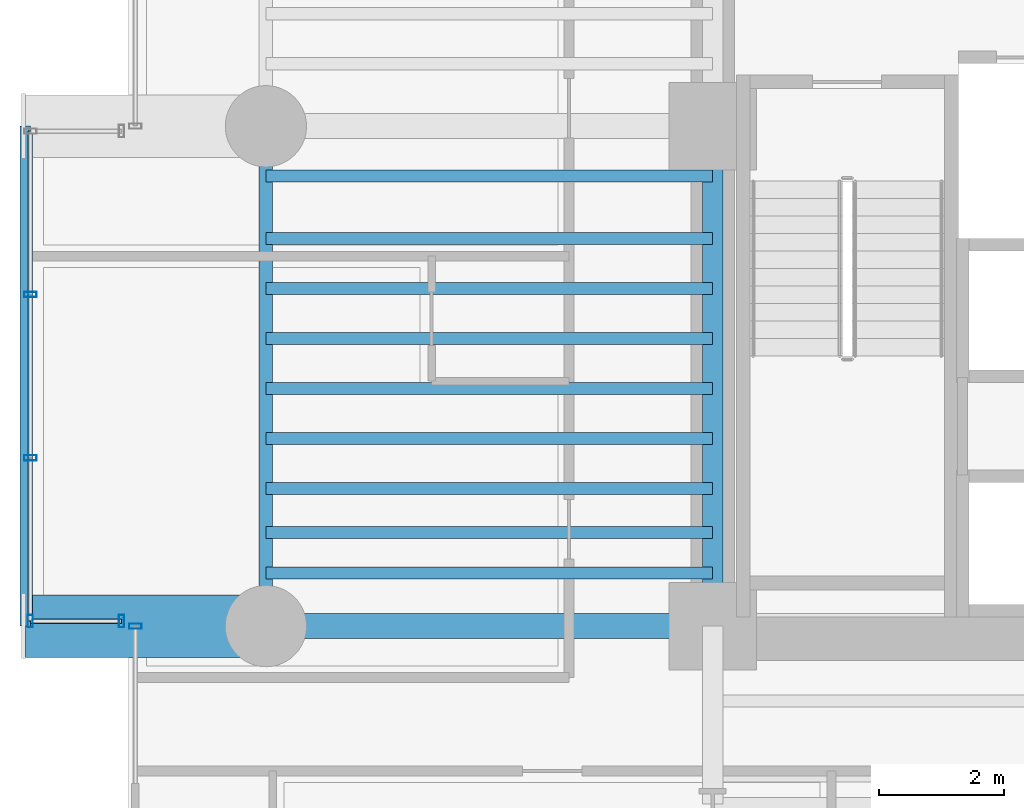
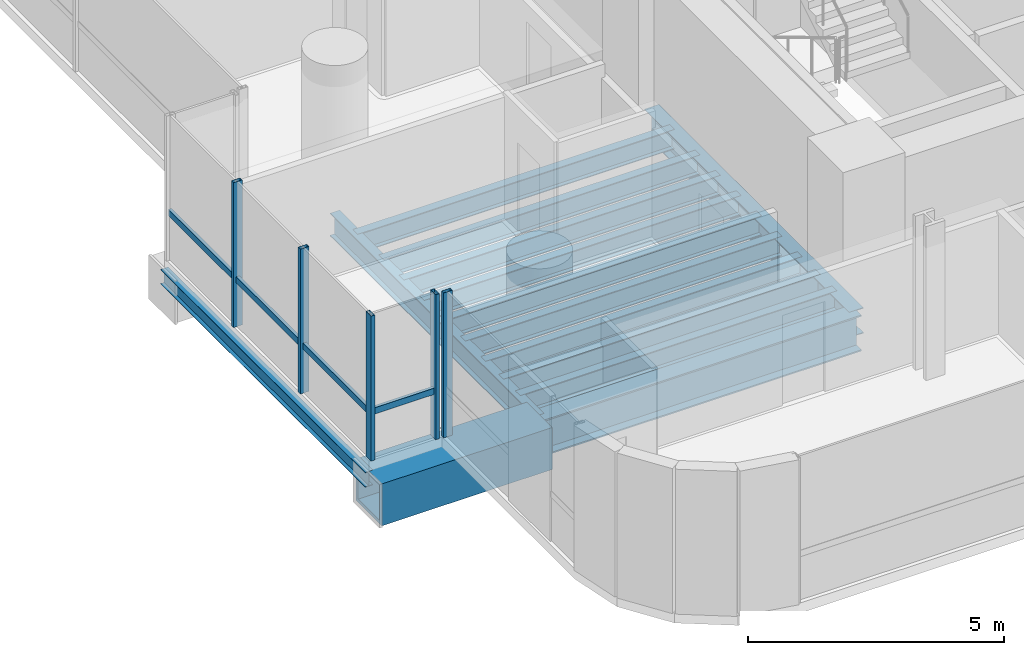
# One storey, part 4 of 41: 14 beams, 7 members, 3 elements without a shape of their own.
"""IFC4 building model written with IfcOpenShell, lengths in metres."""

from ifc_helpers import new_model, si_unit, direction, frame, origin, origin_2d, place, context, subcontext, project, spatial, hollow_rectangle, i_section, extrude, source, transform, mapped, material, material_profile, profile_set, type_object, element, aggregate, save


model = new_model("IFC4")

# Units and contexts
model_context = context("Model", 3, precision=1e-05, world=origin(), true_north=direction((0.0, 1.0)))
body_context = subcontext(model_context, "Body", "Model", "MODEL_VIEW")
ifc_project = project(units=[si_unit("LENGTHUNIT", "METRE"), si_unit("AREAUNIT", "SQUARE_METRE"), si_unit("VOLUMEUNIT", "CUBIC_METRE"), si_unit("PLANEANGLEUNIT", "RADIAN"), si_unit("MASSUNIT", "GRAM", prefix="KILO")], contexts=[model_context])

# Site, building, storey
site_placement = place(None, origin())
site = spatial("IfcSite", under=ifc_project, at=site_placement, CompositionType="ELEMENT")
building_placement = place(site_placement, origin())
building = spatial("IfcBuilding", under=site, at=building_placement, Name="Valdorenza Pilgrim Sanctuary Tower", CompositionType="ELEMENT")
storey_placement = place(building_placement, frame((0.0, 0.0, 59.300048828125)))
storey = spatial("IfcBuildingStorey", under=building, at=storey_placement, Name="L14", CompositionType="ELEMENT", Elevation=59.300048828125)

# Beams
ifc_material_1 = material(Name="Steel ASTM A992 Grade 50", Category="steel")
ifc_material_profile_1 = material_profile(ifc_material_1, i_section(OverallWidth=0.214111328125, OverallDepth=0.549072265625, WebThickness=0.0146484375, FlangeThickness=0.023681640625, at=origin_2d()), Name="W21X93")
ifc_profile_set_1 = profile_set([ifc_material_profile_1], Name="Steel ASTM A992 Grade 50")
beam_type_1 = type_object("IfcBeamType", Name="STR-BM-SPN-W21A", PredefinedType="SPANDREL", material=ifc_profile_set_1)
shared_shape_1 = source(origin(), body_context, "Body", "SweptSolid", [
    extrude(i_section(OverallWidth=0.214111328125, OverallDepth=0.549072265625, WebThickness=0.0146484375, FlangeThickness=0.023681640625, at=origin_2d()), origin(), (0.0, 0.0, 1.0), 8.0),
])
beam_1_placement = place(storey_placement, frame((-29.800048828125, -10.60009765625, -0.5146484375), z_axis=(0.0, 1.0, 0.0), x_axis=(-1.0, 0.0, 0.0)))
element("IfcBeam", 1, at=beam_1_placement, inside=storey, type_object=beam_type_1, Name="L14 Spandrel Beam WA-W-S1M0", PredefinedType="SPANDREL", context=body_context, shape_type="MappedRepresentation", body=[
    mapped(shared_shape_1, transform((0.0, 0.0, 0.0), x_axis=(1.0, 0.0, 0.0), y_axis=(0.0, 1.0, 0.0), z_axis=(0.0, 0.0, 1.0), scale=1.0)),
])
ifc_material_profile_2 = material_profile(ifc_material_1, i_section(OverallWidth=0.323974609375, OverallDepth=0.611083984375, WebThickness=0.0126953125, FlangeThickness=0.01904296875, at=origin_2d()), Name="W24X104")
ifc_profile_set_2 = profile_set([ifc_material_profile_2], Name="Steel ASTM A992 Grade 50")
beam_type_2 = type_object("IfcBeamType", Name="STR-BM-GRD-W24B", PredefinedType="BEAM", material=ifc_profile_set_2)
shared_shape_2 = source(origin(), body_context, "Body", "SweptSolid", [
    extrude(i_section(OverallWidth=0.323974609375, OverallDepth=0.611083984375, WebThickness=0.0126953125, FlangeThickness=0.01904296875, at=origin_2d()), origin(), (0.0, 0.0, 1.0), 8.0),
])
beam_2_placement = place(storey_placement, frame((-22.64990234375, -10.60009765625, -0.545654296875), z_axis=(0.0, 1.0, 0.0), x_axis=(-1.0, 0.0, 0.0)))
element("IfcBeam", 2, at=beam_2_placement, inside=storey, type_object=beam_type_2, Name="L14 Core Tie Girder CA-W-S1M0", PredefinedType="BEAM", context=body_context, shape_type="MappedRepresentation", body=[
    mapped(shared_shape_2, transform((0.0, 0.0, 0.0), x_axis=(1.0, 0.0, 0.0), y_axis=(0.0, 1.0, 0.0), z_axis=(0.0, 0.0, 1.0), scale=1.0)),
])
ifc_material_profile_3 = material_profile(ifc_material_1, i_section(OverallWidth=0.193115234375, OverallDepth=0.466064453125, WebThickness=0.011474609375, FlangeThickness=0.01904296875, at=origin_2d()), Name="W18X65")
ifc_profile_set_3 = profile_set([ifc_material_profile_3], Name="Steel ASTM A992 Grade 50")
beam_type_3 = type_object("IfcBeamType", Name="STR-BM-JST-W18A", PredefinedType="JOIST", material=ifc_profile_set_3)
shared_shape_3 = source(origin(), body_context, "Body", "SweptSolid", [
    extrude(i_section(OverallWidth=0.193115234375, OverallDepth=0.466064453125, WebThickness=0.011474609375, FlangeThickness=0.01904296875, at=origin_2d()), origin(), (0.0, 0.0, 1.0), 7.150146484375),
])
for number, where, z_axis, x_axis, name in (
    (3, (-29.800048828125, -9.75, -0.47314453125), (1.0, 0.0, 0.0), (0.0, 1.0, 0.0), "L14 Composite Floor Joist JST-WA-1"),
    (4, (-29.800048828125, -9.10009765625, -0.47314453125), (1.0, 0.0, 0.0), (0.0, 1.0, 0.0), "L14 Composite Floor Joist JST-WA-2"),
    (5, (-29.800048828125, -8.39990234375, -0.47314453125), (1.0, 0.0, 0.0), (0.0, 1.0, 0.0), "L14 Composite Floor Joist JST-WA-3"),
    (6, (-29.800048828125, -7.60009765625, -0.47314453125), (1.0, 0.0, 0.0), (0.0, 1.0, 0.0), "L14 Composite Floor Joist JST-WA-4"),
    (7, (-29.800048828125, -6.800048828125, -0.47314453125), (1.0, 0.0, 0.0), (0.0, 1.0, 0.0), "L14 Composite Floor Joist JST-WA-5"),
    (8, (-29.800048828125, -6.0, -0.47314453125), (1.0, 0.0, 0.0), (0.0, 1.0, 0.0), "L14 Composite Floor Joist JST-WA-6"),
    (9, (-29.800048828125, -5.199951171875, -0.47314453125), (1.0, 0.0, 0.0), (0.0, 1.0, 0.0), "L14 Composite Floor Joist JST-WA-7"),
    (10, (-29.800048828125, -4.39990234375, -0.47314453125), (1.0, 0.0, 0.0), (0.0, 1.0, 0.0), "L14 Composite Floor Joist JST-WA-8"),
    (11, (-29.800048828125, -3.39990234375, -0.47314453125), (1.0, 0.0, 0.0), (0.0, 1.0, 0.0), "L14 Composite Floor Joist JST-WA-9"),
):
    element("IfcBeam", number, at=place(storey_placement, frame(where, z_axis=z_axis, x_axis=x_axis)), inside=storey, type_object=beam_type_3, Name=name, PredefinedType="JOIST", context=body_context, shape_type="MappedRepresentation", body=[
        mapped(shared_shape_3, transform((0.0, 0.0, 0.0), x_axis=(1.0, 0.0, 0.0), y_axis=(0.0, 1.0, 0.0), z_axis=(0.0, 0.0, 1.0), scale=1.0)),
    ])
ifc_material_2 = material(Name="Steel ASTM A572 Grade 42", Category="steel")
ifc_material_profile_4 = material_profile(ifc_material_2, hollow_rectangle(XDim=1.0, YDim=1.0, WallThickness=0.080078125, at=origin_2d()), Name="BOX 1000x1000x80")
ifc_profile_set_4 = profile_set([ifc_material_profile_4], Name="Steel ASTM A572 Grade 42")
beam_type_4 = type_object("IfcBeamType", Name="STR-BM-PROW-CANT", PredefinedType="BEAM", material=ifc_profile_set_4)
shared_shape_4 = source(origin(), body_context, "Body", "SweptSolid", [
    extrude(hollow_rectangle(XDim=1.0, YDim=1.0, WallThickness=0.080078125, at=origin_2d()), origin(), (0.0, 0.0, 1.0), 3.849853515625),
])
beam_3_placement = place(storey_placement, frame((-29.800048828125, -10.60009765625, -0.739990234375), z_axis=(-1.0, 0.0, 0.0), x_axis=(0.0, -1.0, 0.0)))
element("IfcBeam", 12, at=beam_3_placement, inside=storey, type_object=beam_type_4, Name="L14 Glass Box Cantilever Beam BOX-WA-L14-CT-S", PredefinedType="BEAM", context=body_context, shape_type="MappedRepresentation", body=[
    mapped(shared_shape_4, transform((0.0, 0.0, 0.0), x_axis=(1.0, 0.0, 0.0), y_axis=(0.0, 1.0, 0.0), z_axis=(0.0, 0.0, 1.0), scale=1.0)),
])
ifc_material_profile_5 = material_profile(ifc_material_1, i_section(OverallWidth=0.1708984375, OverallDepth=0.35107421875, WebThickness=0.0068359375, FlangeThickness=0.009765625, at=origin_2d()), Name="W14X30")
ifc_profile_set_5 = profile_set([ifc_material_profile_5], Name="Steel ASTM A992 Grade 50")
beam_type_5 = type_object("IfcBeamType", Name="STR-BM-BOX-W14", PredefinedType="BEAM", material=ifc_profile_set_5)
shared_shape_5 = source(origin(), body_context, "Body", "SweptSolid", [
    extrude(i_section(OverallWidth=0.1708984375, OverallDepth=0.35107421875, WebThickness=0.0068359375, FlangeThickness=0.009765625, at=origin_2d()), origin(), (0.0, 0.0, 1.0), 8.0),
])
beam_4_placement = place(storey_placement, frame((-33.64990234375, -10.60009765625, -0.41552734375), z_axis=(0.0, 1.0, 0.0), x_axis=(-1.0, 0.0, 0.0)))
element("IfcBeam", 13, at=beam_4_placement, inside=storey, type_object=beam_type_5, Name="L14 Glass Box Edge Beam BOX-WA-L14-F", PredefinedType="BEAM", context=body_context, shape_type="MappedRepresentation", body=[
    mapped(shared_shape_5, transform((0.0, 0.0, 0.0), x_axis=(1.0, 0.0, 0.0), y_axis=(0.0, 1.0, 0.0), z_axis=(0.0, 0.0, 1.0), scale=1.0)),
])
ifc_material_profile_6 = material_profile(ifc_material_1, i_section(OverallWidth=0.39990234375, OverallDepth=0.862060546875, WebThickness=0.019775390625, FlangeThickness=0.032470703125, at=origin_2d()), Name="W33X221")
ifc_profile_set_6 = profile_set([ifc_material_profile_6], Name="Steel ASTM A992 Grade 50")
beam_type_6 = type_object("IfcBeamType", Name="STR-BM-GRD-W33", PredefinedType="BEAM", material=ifc_profile_set_6)
shared_shape_6 = source(origin(), body_context, "Body", "SweptSolid", [
    extrude(i_section(OverallWidth=0.39990234375, OverallDepth=0.862060546875, WebThickness=0.019775390625, FlangeThickness=0.032470703125, at=origin_2d()), origin(), (0.0, 0.0, 1.0), 7.150146484375),
])
beam_5_placement = place(storey_placement, frame((-29.800048828125, -10.60009765625, -0.671142578125), z_axis=(1.0, 0.0, 0.0), x_axis=(0.0, 1.0, 0.0)))
element("IfcBeam", 14, at=beam_5_placement, inside=storey, type_object=beam_type_6, Name="L14 Floor Girder WA-XW-S1", PredefinedType="BEAM", context=body_context, shape_type="MappedRepresentation", body=[
    mapped(shared_shape_6, transform((0.0, 0.0, 0.0), x_axis=(1.0, 0.0, 0.0), y_axis=(0.0, 1.0, 0.0), z_axis=(0.0, 0.0, 1.0), scale=1.0)),
])

# Curtain wall, member
ifc_material_3 = material(Name="Curtain-wall IGU glazing", Category="glass")
curtain_wall_type = type_object("IfcCurtainWallType", Name="CW-SYS-02", PredefinedType="NOTDEFINED", material=ifc_material_3)
curtain_wall_1_placement = place(storey_placement, origin())
curtain_wall_1 = element("IfcCurtainWall", 15, at=curtain_wall_1_placement, inside=storey, type_object=curtain_wall_type, Name="L14 Curtain Wall CW-L14-1-1S1", PredefinedType="NOTDEFINED")
ifc_material_4 = material(Name="Anodised aluminium AW-6060", Category="aluminium")
ifc_material_profile_7 = material_profile(ifc_material_4, hollow_rectangle(XDim=0.0849609375, YDim=0.199951171875, WallThickness=0.0048828125, at=origin_2d()), Name="ALU-M 200x85x5")
ifc_profile_set_7 = profile_set([ifc_material_profile_7], Name="Anodised aluminium AW-6060")
member_type_1 = type_object("IfcMemberType", Name="CW-MUL-02", PredefinedType="MULLION", material=ifc_profile_set_7)
shared_shape_7 = source(origin(), body_context, "Body", "SweptSolid", [
    extrude(hollow_rectangle(XDim=0.0849609375, YDim=0.199951171875, WallThickness=0.0048828125, at=origin_2d()), origin(), (0.0, 0.0, 1.0), 3.4599609375),
])
member_1_placement = place(storey_placement, frame((-31.889892578125, -10.60009765625, 0.0), z_axis=(0.0, 0.0, 1.0), x_axis=(0.0, 1.0, 0.0)))
member_1 = element("IfcMember", 16, at=member_1_placement, type_object=member_type_1, Name="CW-L14-1-1S1 Mullion 2", PredefinedType="MULLION", context=body_context, shape_type="MappedRepresentation", body=[
    mapped(shared_shape_7, transform((0.0, 0.0, 0.0), x_axis=(1.0, 0.0, 0.0), y_axis=(0.0, 1.0, 0.0), z_axis=(0.0, 0.0, 1.0), scale=1.0)),
])
aggregate(curtain_wall_1, [member_1])

# Curtain wall, members
curtain_wall_2_placement = place(storey_placement, origin())
curtain_wall_2 = element("IfcCurtainWall", 17, at=curtain_wall_2_placement, inside=storey, type_object=curtain_wall_type, Name="L14 Curtain Wall CW-L14-BOX-WA-L14-S", PredefinedType="NOTDEFINED")
member_2_placement = place(storey_placement, frame((-32.110107421875, -10.52001953125, 0.0), z_axis=(0.0, 0.0, 1.0), x_axis=(-1.0, 0.0, 0.0)))
member_2 = element("IfcMember", 18, at=member_2_placement, type_object=member_type_1, Name="CW-L14-BOX-WA-L14-S Mullion 1", PredefinedType="MULLION", context=body_context, shape_type="MappedRepresentation", body=[
    mapped(shared_shape_7, transform((0.0, 0.0, 0.0), x_axis=(1.0, 0.0, 0.0), y_axis=(0.0, 1.0, 0.0), z_axis=(0.0, 0.0, 1.0), scale=1.0)),
])
member_3_placement = place(storey_placement, frame((-33.570068359375, -10.52001953125, 0.0), z_axis=(0.0, 0.0, 1.0), x_axis=(-1.0, 0.0, 0.0)))
member_3 = element("IfcMember", 19, at=member_3_placement, type_object=member_type_1, Name="CW-L14-BOX-WA-L14-S Mullion 2", PredefinedType="MULLION", context=body_context, shape_type="MappedRepresentation", body=[
    mapped(shared_shape_7, transform((0.0, 0.0, 0.0), x_axis=(1.0, 0.0, 0.0), y_axis=(0.0, 1.0, 0.0), z_axis=(0.0, 0.0, 1.0), scale=1.0)),
])

curtain_wall_3_placement = place(storey_placement, origin())
curtain_wall_3 = element("IfcCurtainWall", 20, at=curtain_wall_3_placement, inside=storey, type_object=curtain_wall_type, Name="L14 Curtain Wall CW-L14-BOX-WA-L14-F", PredefinedType="NOTDEFINED")
member_4_placement = place(storey_placement, frame((-33.570068359375, -7.90673828125, 0.0), z_axis=(0.0, 0.0, 1.0), x_axis=(0.0, 1.0, 0.0)))
member_4 = element("IfcMember", 21, at=member_4_placement, type_object=member_type_1, Name="CW-L14-BOX-WA-L14-F Mullion 2", PredefinedType="MULLION", context=body_context, shape_type="MappedRepresentation", body=[
    mapped(shared_shape_7, transform((0.0, 0.0, 0.0), x_axis=(1.0, 0.0, 0.0), y_axis=(0.0, 1.0, 0.0), z_axis=(0.0, 0.0, 1.0), scale=1.0)),
])
member_5_placement = place(storey_placement, frame((-33.570068359375, -5.293212890625, 0.0), z_axis=(0.0, 0.0, 1.0), x_axis=(0.0, 1.0, 0.0)))
member_5 = element("IfcMember", 22, at=member_5_placement, type_object=member_type_1, Name="CW-L14-BOX-WA-L14-F Mullion 3", PredefinedType="MULLION", context=body_context, shape_type="MappedRepresentation", body=[
    mapped(shared_shape_7, transform((0.0, 0.0, 0.0), x_axis=(1.0, 0.0, 0.0), y_axis=(0.0, 1.0, 0.0), z_axis=(0.0, 0.0, 1.0), scale=1.0)),
])

# Member
ifc_material_profile_8 = material_profile(ifc_material_4, hollow_rectangle(XDim=0.074951171875, YDim=0.14990234375, WallThickness=0.00390625, at=origin_2d()), Name="ALU-T 150x75x4")
ifc_profile_set_8 = profile_set([ifc_material_profile_8], Name="Anodised aluminium AW-6060")
member_type_2 = type_object("IfcMemberType", Name="CW-TRN-02", PredefinedType="USERDEFINED", material=ifc_profile_set_8)
shared_shape_8 = source(origin(), body_context, "Body", "SweptSolid", [
    extrude(hollow_rectangle(XDim=0.074951171875, YDim=0.14990234375, WallThickness=0.00390625, at=origin_2d()), origin(), (0.0, 0.0, 1.0), 1.4599609375),
])
member_6_placement = place(storey_placement, frame((-32.110107421875, -10.52001953125, 1.119873046875), z_axis=(-1.0, 0.0, 0.0), x_axis=(0.0, -1.0, 0.0)))
member_6 = element("IfcMember", 23, at=member_6_placement, type_object=member_type_2, Name="CW-L14-BOX-WA-L14-S Transom 1", ObjectType="TRANSOM", PredefinedType="USERDEFINED", context=body_context, shape_type="MappedRepresentation", body=[
    mapped(shared_shape_8, transform((0.0, 0.0, 0.0), x_axis=(1.0, 0.0, 0.0), y_axis=(0.0, 1.0, 0.0), z_axis=(0.0, 0.0, 1.0), scale=1.0)),
])

aggregate(curtain_wall_2, [member_2, member_3, member_6])

shared_shape_9 = source(origin(), body_context, "Body", "SweptSolid", [
    extrude(hollow_rectangle(XDim=0.074951171875, YDim=0.14990234375, WallThickness=0.00390625, at=origin_2d()), origin(), (0.0, 0.0, 1.0), 7.840087890625),
])
member_7_placement = place(storey_placement, frame((-33.570068359375, -10.52001953125, 1.119873046875), z_axis=(0.0, 1.0, 0.0), x_axis=(-1.0, 0.0, 0.0)))
member_7 = element("IfcMember", 24, at=member_7_placement, type_object=member_type_2, Name="CW-L14-BOX-WA-L14-F Transom 1", ObjectType="TRANSOM", PredefinedType="USERDEFINED", context=body_context, shape_type="MappedRepresentation", body=[
    mapped(shared_shape_9, transform((0.0, 0.0, 0.0), x_axis=(1.0, 0.0, 0.0), y_axis=(0.0, 1.0, 0.0), z_axis=(0.0, 0.0, 1.0), scale=1.0)),
])

aggregate(curtain_wall_3, [member_4, member_5, member_7])

save(model, "model.ifc")
